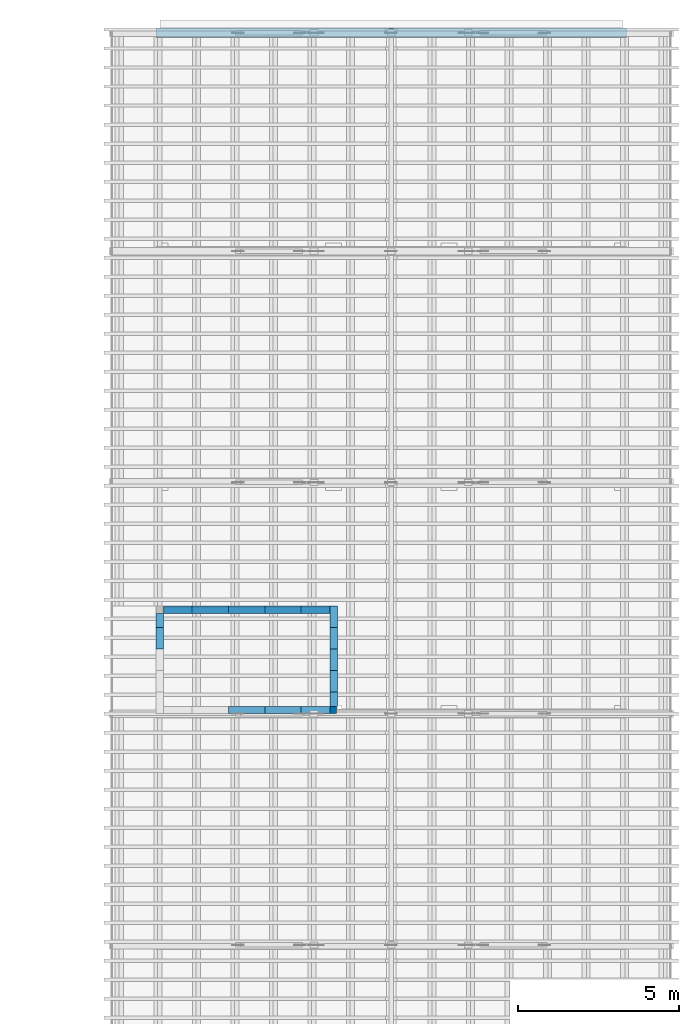
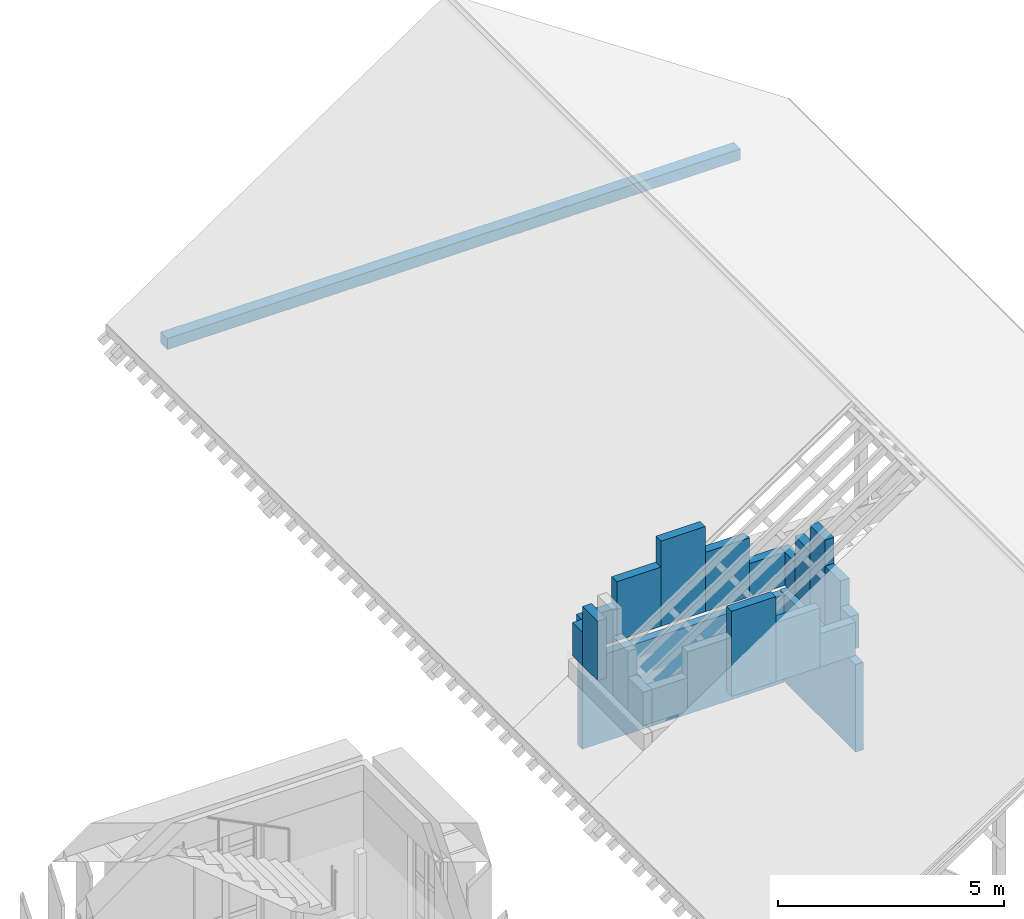
# One storey, part 38 of 51: 18 walls.
"""IFC4 building model written with IfcOpenShell, lengths in metres."""

from ifc_helpers import new_model, si_unit, direction, frame, frame_2d, origin, place, context, subcontext, project, spatial, rectangle, extrude, material, layer, layer_set, type_object, element, save


model = new_model("IFC4")

# Units and contexts
model_context = context("Model", 3, precision=1e-05, world=origin(), true_north=direction((0.0, 1.0)))
body_context = subcontext(model_context, "Body", "Model", "MODEL_VIEW")
ifc_project = project(units=[si_unit("LENGTHUNIT", "METRE"), si_unit("AREAUNIT", "SQUARE_METRE"), si_unit("VOLUMEUNIT", "CUBIC_METRE"), si_unit("PLANEANGLEUNIT", "RADIAN"), si_unit("MASSUNIT", "GRAM", prefix="KILO")], contexts=[model_context])

# Site, building, storey
site_placement = place(None, origin())
site = spatial("IfcSite", under=ifc_project, at=site_placement, CompositionType="ELEMENT")
building_placement = place(site_placement, origin())
building = spatial("IfcBuilding", under=site, at=building_placement, Name="Mazhai Court Health Centre", CompositionType="ELEMENT")
storey_placement = place(building_placement, frame((0.0, 0.0, 14.10009765625)))
storey = spatial("IfcBuildingStorey", under=building, at=storey_placement, Name="L03", CompositionType="ELEMENT", Elevation=14.10009765625)

# Walls
ifc_material_1 = material(Name="Clay brick masonry", Category="masonry")
ifc_layer_1 = layer(ifc_material_1, 0.22998046875)
ifc_layer_set_1 = layer_set([ifc_layer_1], Name="BRICK PARAPET 230 EI 120")
wall_type_1 = type_object("IfcWallType", Name="BRICK PARAPET 230 EI 120", PredefinedType="SOLIDWALL", material=ifc_layer_set_1)
wall_1_placement = place(storey_placement, frame((135.7900390625, 29.81005859375, 2.31591796875), z_axis=(0.0, 0.0, 1.0), x_axis=(0.0, 1.0, 0.0)))
element("IfcWall", 1, at=wall_1_placement, inside=storey, type_object=wall_type_1, Name="PR-core-C9-overrun-slab-03", PredefinedType="SOLIDWALL", context=body_context, shape_type="SweptSolid", body=[
    extrude(rectangle(XDim=0.669921875, YDim=0.22998046875, at=frame_2d((0.3349609375, 0.0))), origin(), (0.0, 0.0, 1.0), 1.60009765625),
])
wall_2_placement = place(storey_placement, frame((135.7900390625, 30.47998046875, 2.31591796875), z_axis=(0.0, 0.0, 1.0), x_axis=(0.0, 1.0, 0.0)))
element("IfcWall", 2, at=wall_2_placement, inside=storey, type_object=wall_type_1, Name="PR-core-C9-overrun-slab-04", PredefinedType="SOLIDWALL", context=body_context, shape_type="SweptSolid", body=[
    extrude(rectangle(XDim=0.43994140625, YDim=0.22998046875, at=frame_2d((0.219970703125, 0.0))), origin(), (0.0, 0.0, 1.0), 0.89990234375),
])
wall_3_placement = place(storey_placement, frame((135.905029296875, 31.034912109375, 2.31591796875), z_axis=(0.0, 0.0, 1.0), x_axis=(1.0, 0.0, 0.0)))
element("IfcWall", 3, at=wall_3_placement, inside=storey, type_object=wall_type_1, Name="PR-core-C9-overrun-slab-10", PredefinedType="SOLIDWALL", context=body_context, shape_type="SweptSolid", body=[
    extrude(rectangle(XDim=0.89990234375, YDim=0.22998046875, at=frame_2d((0.449951171875, 0.0))), origin(), (0.0, 0.0, 1.0), 0.89990234375),
])
wall_4_placement = place(storey_placement, frame((136.804931640625, 31.034912109375, 2.31591796875), z_axis=(0.0, 0.0, 1.0), x_axis=(1.0, 0.0, 0.0)))
element("IfcWall", 4, at=wall_4_placement, inside=storey, type_object=wall_type_1, Name="PR-core-C9-overrun-slab-11", PredefinedType="SOLIDWALL", context=body_context, shape_type="SweptSolid", body=[
    extrude(rectangle(XDim=1.130126953125, YDim=0.22998046875, at=frame_2d((0.56494140625, 0.0))), origin(), (0.0, 0.0, 1.0), 1.60009765625),
])
wall_5_placement = place(storey_placement, frame((137.93505859375, 31.034912109375, 2.31591796875), z_axis=(0.0, 0.0, 1.0), x_axis=(1.0, 0.0, 0.0)))
element("IfcWall", 5, at=wall_5_placement, inside=storey, type_object=wall_type_1, Name="PR-core-C9-overrun-slab-12", PredefinedType="SOLIDWALL", context=body_context, shape_type="SweptSolid", body=[
    extrude(rectangle(XDim=1.1298828125, YDim=0.22998046875, at=frame_2d((0.56494140625, 0.0))), origin(), (0.0, 0.0, 1.0), 2.300048828125),
])
wall_6_placement = place(storey_placement, frame((139.06494140625, 31.034912109375, 2.31591796875), z_axis=(0.0, 0.0, 1.0), x_axis=(1.0, 0.0, 0.0)))
element("IfcWall", 6, at=wall_6_placement, inside=storey, type_object=wall_type_1, Name="PR-core-C9-overrun-slab-13", PredefinedType="SOLIDWALL", context=body_context, shape_type="SweptSolid", body=[
    extrude(rectangle(XDim=1.130126953125, YDim=0.22998046875, at=frame_2d((0.56494140625, 0.0))), origin(), (0.0, 0.0, 1.0), 1.60009765625),
])
wall_7_placement = place(storey_placement, frame((140.195068359375, 31.034912109375, 2.31591796875), z_axis=(0.0, 0.0, 1.0), x_axis=(1.0, 0.0, 0.0)))
element("IfcWall", 7, at=wall_7_placement, inside=storey, type_object=wall_type_1, Name="PR-core-C9-overrun-slab-14", PredefinedType="SOLIDWALL", context=body_context, shape_type="SweptSolid", body=[
    extrude(rectangle(XDim=1.1298828125, YDim=0.22998046875, at=frame_2d((0.56494140625, 0.0))), origin(), (0.0, 0.0, 1.0), 0.89990234375),
])
wall_8_placement = place(storey_placement, frame((141.2099609375, 31.14990234375, 2.31591796875), z_axis=(0.0, 0.0, 1.0), x_axis=(0.0, -1.0, 0.0)))
element("IfcWall", 8, at=wall_8_placement, inside=storey, type_object=wall_type_1, Name="PR-core-C9-overrun-slab-20", PredefinedType="SOLIDWALL", context=body_context, shape_type="SweptSolid", body=[
    extrude(rectangle(XDim=0.669921875, YDim=0.22998046875, at=frame_2d((0.3349609375, 0.0))), origin(), (0.0, 0.0, 1.0), 0.89990234375),
])
wall_9_placement = place(storey_placement, frame((141.2099609375, 30.47998046875, 2.31591796875), z_axis=(0.0, 0.0, 1.0), x_axis=(0.0, -1.0, 0.0)))
element("IfcWall", 9, at=wall_9_placement, inside=storey, type_object=wall_type_1, Name="PR-core-C9-overrun-slab-21", PredefinedType="SOLIDWALL", context=body_context, shape_type="SweptSolid", body=[
    extrude(rectangle(XDim=0.669921875, YDim=0.22998046875, at=frame_2d((0.3349609375, 0.0))), origin(), (0.0, 0.0, 1.0), 1.60009765625),
])
wall_10_placement = place(storey_placement, frame((141.2099609375, 29.81005859375, 2.31591796875), z_axis=(0.0, 0.0, 1.0), x_axis=(0.0, -1.0, 0.0)))
element("IfcWall", 10, at=wall_10_placement, inside=storey, type_object=wall_type_1, Name="PR-core-C9-overrun-slab-22", PredefinedType="SOLIDWALL", context=body_context, shape_type="SweptSolid", body=[
    extrude(rectangle(XDim=0.670166015625, YDim=0.22998046875, at=frame_2d((0.3349609375, 0.0))), origin(), (0.0, 0.0, 1.0), 2.300048828125),
])
wall_11_placement = place(storey_placement, frame((141.2099609375, 29.139892578125, 2.31591796875), z_axis=(0.0, 0.0, 1.0), x_axis=(0.0, -1.0, 0.0)))
element("IfcWall", 11, at=wall_11_placement, inside=storey, type_object=wall_type_1, Name="PR-core-C9-overrun-slab-23", PredefinedType="SOLIDWALL", context=body_context, shape_type="SweptSolid", body=[
    extrude(rectangle(XDim=0.669921875, YDim=0.22998046875, at=frame_2d((0.3349609375, 0.0))), origin(), (0.0, 0.0, 1.0), 1.60009765625),
])
wall_12_placement = place(storey_placement, frame((141.2099609375, 28.469970703125, 2.31591796875), z_axis=(0.0, 0.0, 1.0), x_axis=(0.0, -1.0, 0.0)))
element("IfcWall", 12, at=wall_12_placement, inside=storey, type_object=wall_type_1, Name="PR-core-C9-overrun-slab-24", PredefinedType="SOLIDWALL", context=body_context, shape_type="SweptSolid", body=[
    extrude(rectangle(XDim=0.43994140625, YDim=0.22998046875, at=frame_2d((0.219970703125, 0.0))), origin(), (0.0, 0.0, 1.0), 0.89990234375),
])
wall_13_placement = place(storey_placement, frame((141.094970703125, 27.9150390625, 2.31591796875), z_axis=(0.0, 0.0, 1.0), x_axis=(-1.0, 0.0, 0.0)))
element("IfcWall", 13, at=wall_13_placement, inside=storey, type_object=wall_type_1, Name="PR-core-C9-overrun-slab-30", PredefinedType="SOLIDWALL", context=body_context, shape_type="SweptSolid", body=[
    extrude(rectangle(XDim=0.89990234375, YDim=0.22998046875, at=frame_2d((0.449951171875, 0.0))), origin(), (0.0, 0.0, 1.0), 0.89990234375),
])
wall_14_placement = place(storey_placement, frame((140.195068359375, 27.9150390625, 2.31591796875), z_axis=(0.0, 0.0, 1.0), x_axis=(-1.0, 0.0, 0.0)))
element("IfcWall", 14, at=wall_14_placement, inside=storey, type_object=wall_type_1, Name="PR-core-C9-overrun-slab-31", PredefinedType="SOLIDWALL", context=body_context, shape_type="SweptSolid", body=[
    extrude(rectangle(XDim=1.130126953125, YDim=0.22998046875, at=frame_2d((0.56494140625, 0.0))), origin(), (0.0, 0.0, 1.0), 1.60009765625),
])
wall_15_placement = place(storey_placement, frame((139.06494140625, 27.9150390625, 2.31591796875), z_axis=(0.0, 0.0, 1.0), x_axis=(-1.0, 0.0, 0.0)))
element("IfcWall", 15, at=wall_15_placement, inside=storey, type_object=wall_type_1, Name="PR-core-C9-overrun-slab-32", PredefinedType="SOLIDWALL", context=body_context, shape_type="SweptSolid", body=[
    extrude(rectangle(XDim=1.1298828125, YDim=0.22998046875, at=frame_2d((0.56494140625, 0.0))), origin(), (0.0, 0.0, 1.0), 2.300048828125),
])
ifc_material_2 = material(Name="Concrete M40", Category="concrete")
ifc_layer_2 = layer(ifc_material_2, 0.199951171875)
ifc_layer_set_2 = layer_set([ifc_layer_2], Name="RC SHAFT WALL 200 M40")
wall_type_2 = type_object("IfcWallType", Name="RC SHAFT WALL 200 M40", PredefinedType="SHEAR", material=ifc_layer_set_2)
wall_16_placement = place(storey_placement, frame((141.199951171875, 27.800048828125, -0.300048828125), z_axis=(0.0, 0.0, 1.0), x_axis=(0.0, 1.0, 0.0)))
element("IfcWall", 16, at=wall_16_placement, inside=storey, type_object=wall_type_2, Name="core-C9-overrun-w1", PredefinedType="SHEAR", context=body_context, shape_type="SweptSolid", body=[
    extrude(rectangle(XDim=3.349853515625, YDim=0.199951171875, at=frame_2d((1.6748046875, 0.0))), origin(), (0.0, 0.0, 1.0), 2.365966796875),
])
wall_17_placement = place(storey_placement, frame((135.925048828125, 31.02490234375, -0.300048828125), z_axis=(0.0, 0.0, 1.0), x_axis=(1.0, 0.0, 0.0)))
element("IfcWall", 17, at=wall_17_placement, inside=storey, type_object=wall_type_2, Name="core-C9-overrun-w3", PredefinedType="SHEAR", context=body_context, shape_type="SweptSolid", body=[
    extrude(rectangle(XDim=5.14990234375, YDim=0.199951171875, at=frame_2d((2.574951171875, 0.0))), origin(), (0.0, 0.0, 1.0), 2.365966796875),
])
ifc_material_3 = material(Name="Concrete M40", Category="concrete")
ifc_layer_3 = layer(ifc_material_3, 0.300048828125)
ifc_layer_set_3 = layer_set([ifc_layer_3], Name="RC UPSTAND WALL 300 M40")
wall_type_3 = type_object("IfcWallType", Name="RC UPSTAND WALL 300 M40", PredefinedType="SHEAR", material=ifc_layer_set_3)
wall_18_placement = place(storey_placement, frame((150.320068359375, 49.0, -0.300048828125), z_axis=(0.0, 0.0, 1.0), x_axis=(-1.0, 0.0, 0.0)))
element("IfcWall", 18, at=wall_18_placement, inside=storey, type_object=wall_type_3, Name="Truss upstand TV6", PredefinedType="SHEAR", context=body_context, shape_type="SweptSolid", body=[
    extrude(rectangle(XDim=14.64013671875, YDim=0.300048828125, at=frame_2d((7.320068359375, 0.0))), origin(), (0.0, 0.0, 1.0), 0.300048828125),
])

save(model, "model.ifc")
